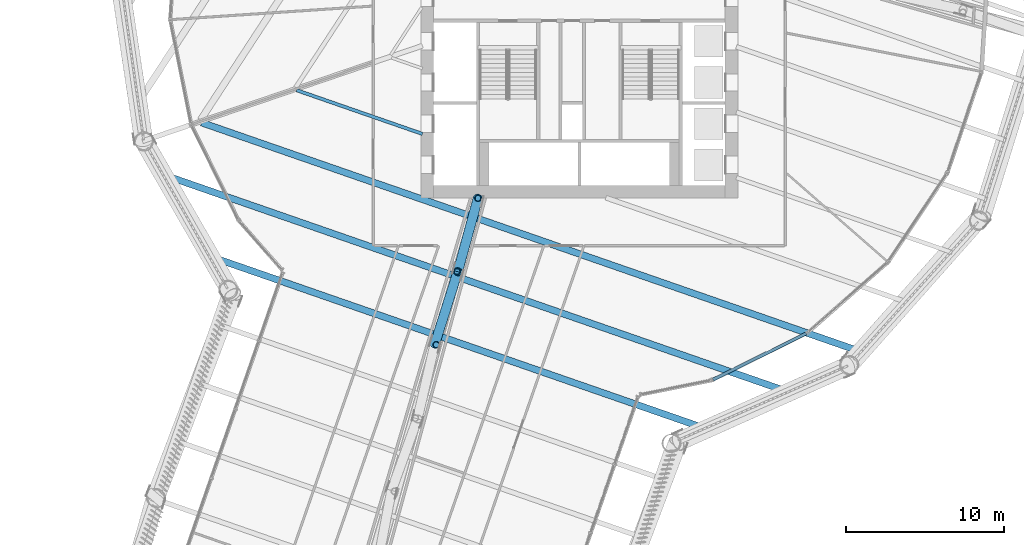
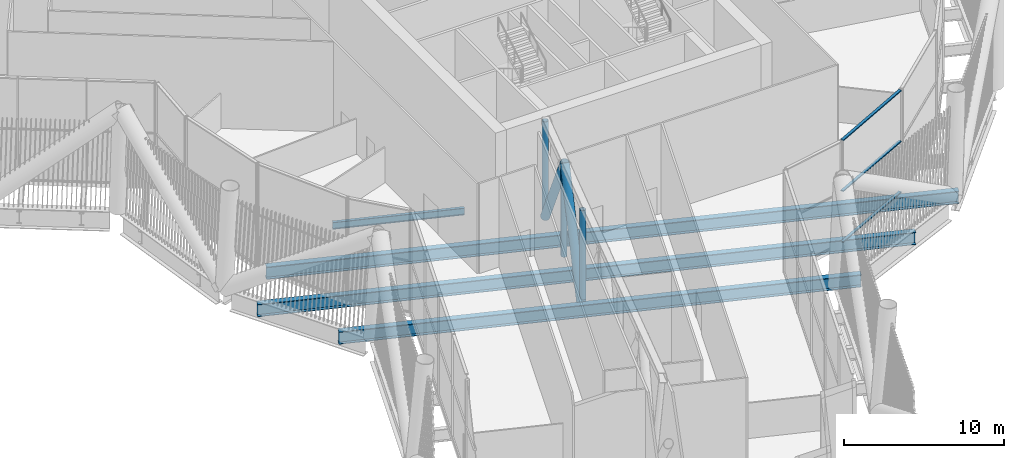
# One storey, part 16 of 63: 8 members, 4 beams, 1 element without a shape of its own.
"""IFC4 building model written with IfcOpenShell, lengths in metres."""

from ifc_helpers import new_model, si_unit, direction, frame, origin, origin_2d, place, context, subcontext, project, spatial, hollow_rectangle, hollow_circle, i_section, extrude, material, layer, layer_set, material_profile, profile_set, type_object, element, aggregate, save


model = new_model("IFC4")

# Units and contexts
model_context = context("Model", 3, precision=1e-05, world=origin(), true_north=direction((0.0, 1.0)))
body_context = subcontext(model_context, "Body", "Model", "MODEL_VIEW")
ifc_project = project(units=[si_unit("LENGTHUNIT", "METRE"), si_unit("AREAUNIT", "SQUARE_METRE"), si_unit("VOLUMEUNIT", "CUBIC_METRE"), si_unit("PLANEANGLEUNIT", "RADIAN"), si_unit("MASSUNIT", "GRAM", prefix="KILO")], contexts=[model_context])

# Site, building, storey
site_placement = place(None, origin())
site = spatial("IfcSite", under=ifc_project, at=site_placement, CompositionType="ELEMENT")
building_placement = place(site_placement, origin())
building = spatial("IfcBuilding", under=site, at=building_placement, Name="Tarsis Ring Headquarters", CompositionType="ELEMENT")
storey_placement = place(building_placement, frame((0.0, 0.0, 139.60009765625)))
storey = spatial("IfcBuildingStorey", under=building, at=storey_placement, Name="L32", CompositionType="ELEMENT", Elevation=139.60009765625)

# Curtain wall, members
ifc_material_1 = material(Name="Aluminium curtain wall", Category="aluminium")
ifc_layer = layer(ifc_material_1, 0.25)
ifc_layer_set = layer_set([ifc_layer], Name="Curtain wall sky lobby")
curtain_wall_type = type_object("IfcCurtainWallType", Name="Curtain wall sky lobby", PredefinedType="NOTDEFINED", material=ifc_layer_set)
curtain_wall_placement = place(storey_placement, origin())
curtain_wall = element("IfcCurtainWall", 1, at=curtain_wall_placement, inside=storey, type_object=curtain_wall_type, Name="Curtain wall L32-18", PredefinedType="NOTDEFINED")
ifc_material_2 = material(Name="Aluminium transom", Category="aluminium")
ifc_material_profile_1 = material_profile(ifc_material_2, hollow_rectangle(XDim=0.199951171875, YDim=0.080078125, WallThickness=0.0048828125, at=origin_2d()), Name="RHS 200x80x5")
ifc_profile_set_1 = profile_set([ifc_material_profile_1], Name="Aluminium transom")
member_type_1 = type_object("IfcMemberType", Name="Curtain wall transom sky lobby RHS 200x80x5", PredefinedType="USERDEFINED", material=ifc_profile_set_1)
member_1_placement = place(storey_placement, frame((8.44189453125, -24.44482421875, 0.039794921875), z_axis=(0.896183952051, 0.443682684005, 0.0), x_axis=(-0.443682684005, 0.896183952051, 0.0)))
member_1 = element("IfcMember", 2, at=member_1_placement, type_object=member_type_1, Name="CW-S transom 1.1", ObjectType="TRANSOM", PredefinedType="USERDEFINED", context=body_context, shape_type="SweptSolid", body=[
    extrude(hollow_rectangle(XDim=0.199951171875, YDim=0.080078125, WallThickness=0.0048828125, at=origin_2d()), origin(), (0.0, 0.0, 1.0), 6.561279296875),
])
member_2_placement = place(storey_placement, frame((8.44189453125, -24.44482421875, 3.919921875), z_axis=(0.896183952051, 0.443682684005, 0.0), x_axis=(-0.443682684005, 0.896183952051, 0.0)))
member_2 = element("IfcMember", 3, at=member_2_placement, type_object=member_type_1, Name="CW-S transom 1.2", ObjectType="TRANSOM", PredefinedType="USERDEFINED", context=body_context, shape_type="SweptSolid", body=[
    extrude(hollow_rectangle(XDim=0.199951171875, YDim=0.080078125, WallThickness=0.0048828125, at=origin_2d()), origin(), (0.0, 0.0, 1.0), 6.561279296875),
])
member_3_placement = place(storey_placement, frame((8.44189453125, -24.44482421875, 7.7998046875), z_axis=(0.896183952051, 0.443682684005, 0.0), x_axis=(-0.443682684005, 0.896183952051, 0.0)))
member_3 = element("IfcMember", 4, at=member_3_placement, type_object=member_type_1, Name="CW-S transom 1.3", ObjectType="TRANSOM", PredefinedType="USERDEFINED", context=body_context, shape_type="SweptSolid", body=[
    extrude(hollow_rectangle(XDim=0.199951171875, YDim=0.080078125, WallThickness=0.0048828125, at=origin_2d()), origin(), (0.0, 0.0, 1.0), 6.561279296875),
])
aggregate(curtain_wall, [member_1, member_2, member_3])

# Beams
ifc_material_3 = material(Name="Structural steel S355", Category="steel")
ifc_material_profile_2 = material_profile(ifc_material_3, i_section(OverallWidth=0.209228515625, OverallDepth=0.533447265625, WebThickness=0.01025390625, FlangeThickness=0.015625, at=origin_2d()), Name="W21x62")
ifc_profile_set_2 = profile_set([ifc_material_profile_2], Name="Structural steel S355")
beam_type_1 = type_object("IfcBeamType", Name="FB Floor beam W21x62", PredefinedType="JOIST", material=ifc_profile_set_2)
beam_1_placement = place(storey_placement, frame((-17.842529296875, -6.186767578125, -0.56689453125), z_axis=(0.944612374438, -0.328188150393, 0.0), x_axis=(0.328188150393, 0.944612374438, 0.0)))
element("IfcBeam", 5, at=beam_1_placement, inside=storey, type_object=beam_type_1, Name="Floor beam FB3", PredefinedType="JOIST", context=body_context, shape_type="SweptSolid", body=[
    extrude(i_section(OverallWidth=0.209228515625, OverallDepth=0.533447265625, WebThickness=0.01025390625, FlangeThickness=0.015625, at=origin_2d()), origin(), (0.0, 0.0, 1.0), 8.40234375),
])
ifc_material_profile_3 = material_profile(ifc_material_3, i_section(OverallWidth=0.42431640625, OverallDepth=0.947509765625, WebThickness=0.02392578125, FlangeThickness=0.042724609375, at=origin_2d()), Name="W36x302")
ifc_profile_set_3 = profile_set([ifc_material_profile_3], Name="Structural steel S355")
beam_type_2 = type_object("IfcBeamType", Name="FB Floor beam W36x302", PredefinedType="JOIST", material=ifc_profile_set_3)
beam_2_placement = place(storey_placement, frame((-23.837890625, -8.232177734375, -0.773681640625), z_axis=(0.944604348234, -0.328211251021, 0.0), x_axis=(0.328211251021, 0.944604348234, 0.0)))
element("IfcBeam", 6, at=beam_2_placement, inside=storey, type_object=beam_type_2, Name="Floor beam FB12", PredefinedType="JOIST", context=body_context, shape_type="SweptSolid", body=[
    extrude(i_section(OverallWidth=0.42431640625, OverallDepth=0.947509765625, WebThickness=0.02392578125, FlangeThickness=0.042724609375, at=origin_2d()), origin(), (0.0, 0.0, 1.0), 44.138671875),
])
beam_3_placement = place(storey_placement, frame((-26.35888671875, -11.485107421875, -0.773681640625), z_axis=(0.944606606447, -0.328204751727, 0.0), x_axis=(0.328204751727, 0.944606606447, 0.0)))
element("IfcBeam", 7, at=beam_3_placement, inside=storey, type_object=beam_type_2, Name="Floor beam FB12", PredefinedType="JOIST", context=body_context, shape_type="SweptSolid", body=[
    extrude(i_section(OverallWidth=0.42431640625, OverallDepth=0.947509765625, WebThickness=0.02392578125, FlangeThickness=0.042724609375, at=origin_2d()), origin(), (0.0, 0.0, 1.0), 41.94140625),
])
beam_4_placement = place(storey_placement, frame((-23.44775390625, -16.625244140625, -0.773681640625), z_axis=(0.944606455325, -0.328205186671, 0.0), x_axis=(0.328205186671, 0.944606455325, 0.0)))
element("IfcBeam", 8, at=beam_4_placement, inside=storey, type_object=beam_type_2, Name="Floor beam FB12", PredefinedType="JOIST", context=body_context, shape_type="SweptSolid", body=[
    extrude(i_section(OverallWidth=0.42431640625, OverallDepth=0.947509765625, WebThickness=0.02392578125, FlangeThickness=0.042724609375, at=origin_2d()), origin(), (0.0, 0.0, 1.0), 33.293212890625),
])

# Members
ifc_material_profile_4 = material_profile(ifc_material_3, hollow_circle(Radius=0.3046875, WallThickness=0.02490234375, at=origin_2d()), Name="CHS 610x25")
ifc_profile_set_4 = profile_set([ifc_material_profile_4], Name="Structural steel S355")
member_type_2 = type_object("IfcMemberType", Name="OD Outrigger diagonal CHS 610x25", PredefinedType="BRACE", material=ifc_profile_set_4)
member_4_placement = place(storey_placement, frame((-6.39990234375, -13.0, 0.25390625), z_axis=(-0.145171763258, -0.529160124215, 0.836011197349), x_axis=(0.964367019583, -0.26456804709, 0.0)))
element("IfcMember", 9, at=member_4_placement, inside=storey, type_object=member_type_2, Name="Outrigger diagonal OD1", PredefinedType="BRACE", context=body_context, shape_type="SweptSolid", body=[
    extrude(hollow_circle(Radius=0.3046875, WallThickness=0.02490234375, at=origin_2d()), origin(), (0.0, 0.0, 1.0), 8.770263671875),
])
member_5_placement = place(storey_placement, frame((-7.673095703125, -17.640869140625, 7.5859375), z_axis=(-0.165763332688, -0.522466418217, -0.836391869504), x_axis=(0.953176352856, -0.302415013443, 0.0)))
element("IfcMember", 10, at=member_5_placement, inside=storey, type_object=member_type_2, Name="Outrigger diagonal OD1", PredefinedType="BRACE", context=body_context, shape_type="SweptSolid", body=[
    extrude(hollow_circle(Radius=0.3046875, WallThickness=0.02490234375, at=origin_2d()), origin(), (0.0, 0.0, 1.0), 8.766357421875),
])
ifc_material_profile_5 = material_profile(ifc_material_3, hollow_circle(Radius=0.203125, WallThickness=0.01611328125, at=origin_2d()), Name="CHS 406x16")
ifc_profile_set_5 = profile_set([ifc_material_profile_5], Name="Structural steel S355")
member_type_3 = type_object("IfcMemberType", Name="OV Outrigger post CHS 406x16", PredefinedType="STRUT", material=ifc_profile_set_5)
member_6_placement = place(storey_placement, frame((-6.39990234375, -13.0, 0.5078125), z_axis=(0.0, 0.0, 1.0), x_axis=(1.0, 0.0, 0.0)))
element("IfcMember", 11, at=member_6_placement, inside=storey, type_object=member_type_3, Name="Outrigger post OV1", PredefinedType="STRUT", context=body_context, shape_type="SweptSolid", body=[
    extrude(hollow_circle(Radius=0.203125, WallThickness=0.01611328125, at=origin_2d()), origin(), (0.0, 0.0, 1.0), 7.078125),
])
for number, where, z_axis, x_axis, name in (
    (12, (-7.718017578125, -17.625732421875, 0.5078125), (0.0, 0.0, 1.0), (1.0, 0.0, 0.0), "Outrigger post OV1"),
    (13, (-9.0361328125, -22.25146484375, 0.5078125), (0.0, 0.0, 1.0), (1.0, 0.0, 0.0), "Outrigger post OV1"),
):
    element("IfcMember", number, at=place(storey_placement, frame(where, z_axis=z_axis, x_axis=x_axis)), inside=storey, type_object=member_type_3, Name=name, PredefinedType="STRUT", context=body_context, shape_type="SweptSolid", body=[
        extrude(hollow_circle(Radius=0.203125, WallThickness=0.01611328125, at=origin_2d()), origin(), (0.0, 0.0, 1.0), 6.823974609375),
    ])

save(model, "model.ifc")
